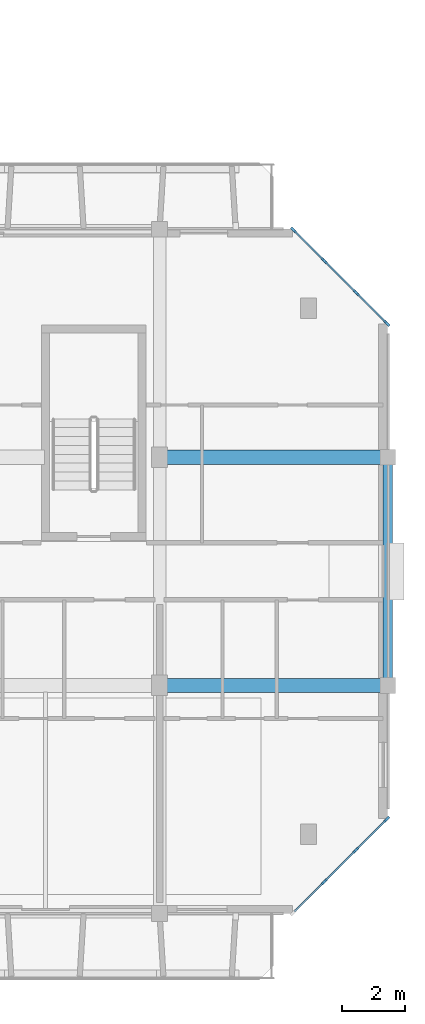
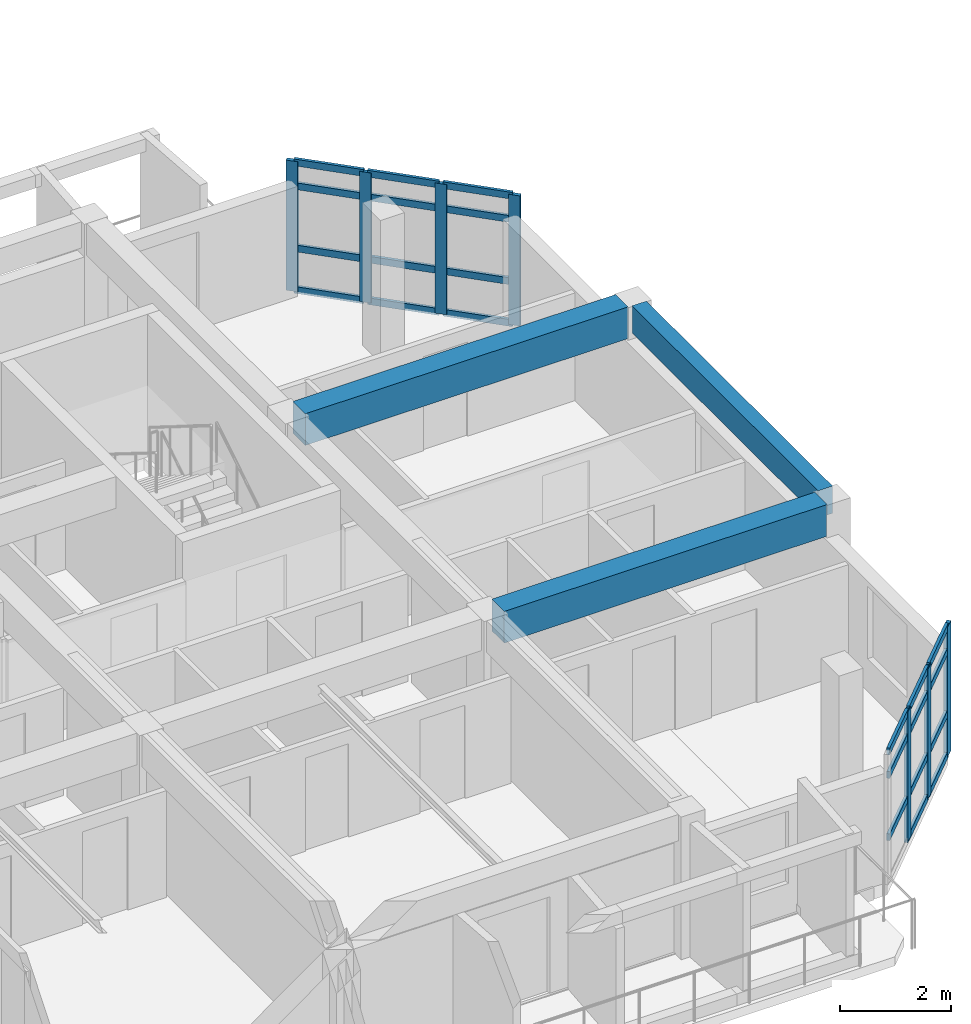
# One storey, part 8 of 40: 30 members, 3 beams, 2 elements without a shape of their own.
"""IFC4 building model written with IfcOpenShell, lengths in metres."""

from ifc_helpers import new_model, si_unit, direction, frame, origin, origin_2d, place, context, subcontext, project, spatial, rectangle, extrude, material, layer, layer_set, material_profile, profile_set, type_object, element, aggregate, save


model = new_model("IFC4")

# Units and contexts
model_context = context("Model", 3, precision=1e-05, world=origin(), true_north=direction((0.0, 1.0)))
body_context = subcontext(model_context, "Body", "Model", "MODEL_VIEW")
ifc_project = project(units=[si_unit("LENGTHUNIT", "METRE"), si_unit("AREAUNIT", "SQUARE_METRE"), si_unit("VOLUMEUNIT", "CUBIC_METRE"), si_unit("PLANEANGLEUNIT", "RADIAN"), si_unit("MASSUNIT", "GRAM", prefix="KILO")], contexts=[model_context])

# Site, building, storey
site_placement = place(None, origin())
site = spatial("IfcSite", under=ifc_project, at=site_placement, CompositionType="ELEMENT")
building_placement = place(site_placement, origin())
building = spatial("IfcBuilding", under=site, at=building_placement, Name="Ochrevale Crest", CompositionType="ELEMENT")
storey_placement = place(building_placement, frame((0.0, 0.0, 27.60009765625)))
storey = spatial("IfcBuildingStorey", under=building, at=storey_placement, Name="L08", CompositionType="ELEMENT", Elevation=27.60009765625)

# Beams
ifc_material_1 = material(Name="Concrete C50/60", Category="concrete")
ifc_material_profile_1 = material_profile(ifc_material_1, rectangle(XDim=0.449951171875, YDim=0.699951171875, at=origin_2d()), Name="RC 450x700")
ifc_profile_set_1 = profile_set([ifc_material_profile_1], Name="Concrete C50/60")
beam_type_1 = type_object("IfcBeamType", Name="BM-PG450x700", PredefinedType="USERDEFINED", material=ifc_profile_set_1)
for number, where, z_axis, x_axis, name in (
    (1, (158.625, 21.60009765625, 2.7998046875), (1.0, 0.0, 0.0), (0.0, 1.0, 0.0), "Block C L08 E-W beam Y=21.6"),
    (2, (158.625, 28.800048828125, 2.7998046875), (1.0, 0.0, 0.0), (0.0, 1.0, 0.0), "Block C L08 E-W beam Y=28.8"),
):
    element("IfcBeam", number, at=place(storey_placement, frame(where, z_axis=z_axis, x_axis=x_axis)), inside=storey, type_object=beam_type_1, Name=name, ObjectType="GIRDER", PredefinedType="USERDEFINED", context=body_context, shape_type="SweptSolid", body=[
        extrude(rectangle(XDim=0.449951171875, YDim=0.699951171875, at=origin_2d()), origin(), (0.0, 0.0, 1.0), 6.75),
    ])
ifc_material_2 = material(Name="Precast concrete C40/50", Category="concrete")
ifc_material_profile_2 = material_profile(ifc_material_2, rectangle(XDim=0.300048828125, YDim=0.60009765625, at=origin_2d()), Name="PC 300x600")
ifc_profile_set_2 = profile_set([ifc_material_profile_2], Name="Precast concrete C40/50")
beam_type_2 = type_object("IfcBeamType", Name="BM-SP300x600", PredefinedType="SPANDREL", material=ifc_profile_set_2)
beam_placement = place(storey_placement, frame((165.60009765625, 21.830078125, 2.849853515625), z_axis=(0.0, 1.0, 0.0), x_axis=(-1.0, 0.0, 0.0)))
element("IfcBeam", 3, at=beam_placement, inside=storey, type_object=beam_type_2, Name="Block C L08 N-S beam X=165.6", PredefinedType="SPANDREL", context=body_context, shape_type="SweptSolid", body=[
    extrude(rectangle(XDim=0.300048828125, YDim=0.60009765625, at=origin_2d()), origin(), (0.0, 0.0, 1.0), 6.739990234375),
])

# Curtain wall, members
ifc_material_3 = material(Name="Anodised aluminium 6063-T5", Category="aluminium")
ifc_layer_1 = layer(ifc_material_3, 0.14990234375)
ifc_layer_set_1 = layer_set([ifc_layer_1], Name="Anodised aluminium 6063-T5")
curtain_wall_type_1 = type_object("IfcCurtainWallType", Name="CW-WG-240x285", PredefinedType="NOTDEFINED", material=ifc_layer_set_1)
curtain_wall_1_placement = place(storey_placement, origin())
curtain_wall_1 = element("IfcCurtainWall", 4, at=curtain_wall_1_placement, inside=storey, type_object=curtain_wall_type_1, Name="Block C L08 chamfered corner wintergarden curtain wall 2", PredefinedType="NOTDEFINED")
ifc_material_profile_3 = material_profile(ifc_material_3, rectangle(XDim=0.074951171875, YDim=0.219970703125, at=origin_2d()), Name="ALU 75x220")
ifc_profile_set_3 = profile_set([ifc_material_profile_3], Name="Anodised aluminium 6063-T5")
member_type_1 = type_object("IfcMemberType", Name="CW-MUL-75x220", PredefinedType="MULLION", material=ifc_profile_set_3)
member_1_placement = place(storey_placement, frame((163.60009765625, 15.39990234375, 0.0), z_axis=(0.0, 0.0, 1.0), x_axis=(-0.707106781187, 0.707106781187, 0.0)))
member_1 = element("IfcMember", 5, at=member_1_placement, type_object=member_type_1, Name="CW15 mullion 2", PredefinedType="MULLION", context=body_context, shape_type="SweptSolid", body=[
    extrude(rectangle(XDim=0.074951171875, YDim=0.219970703125, at=origin_2d()), origin(), (0.0, 0.0, 1.0), 2.875),
])
member_2_placement = place(storey_placement, frame((164.60009765625, 16.39990234375, 0.0), z_axis=(0.0, 0.0, 1.0), x_axis=(-0.707106781187, 0.707106781187, 0.0)))
member_2 = element("IfcMember", 6, at=member_2_placement, type_object=member_type_1, Name="CW15 mullion 3", PredefinedType="MULLION", context=body_context, shape_type="SweptSolid", body=[
    extrude(rectangle(XDim=0.074951171875, YDim=0.219970703125, at=origin_2d()), origin(), (0.0, 0.0, 1.0), 2.875),
])
member_3_placement = place(storey_placement, frame((165.573486328125, 17.37353515625, 0.0), z_axis=(0.0, 0.0, 1.0), x_axis=(-0.707106781187, 0.707106781187, 0.0)))
member_3 = element("IfcMember", 7, at=member_3_placement, type_object=member_type_1, Name="CW15 mullion 4", PredefinedType="MULLION", context=body_context, shape_type="SweptSolid", body=[
    extrude(rectangle(XDim=0.074951171875, YDim=0.219970703125, at=origin_2d()), origin(), (0.0, 0.0, 1.0), 2.875),
])

ifc_layer_2 = layer(ifc_material_3, 0.14990234375)
ifc_layer_set_2 = layer_set([ifc_layer_2], Name="Anodised aluminium 6063-T5")
curtain_wall_type_2 = type_object("IfcCurtainWallType", Name="CW-WG-320x285", PredefinedType="NOTDEFINED", material=ifc_layer_set_2)
curtain_wall_2_placement = place(storey_placement, origin())
curtain_wall_2 = element("IfcCurtainWall", 8, at=curtain_wall_2_placement, inside=storey, type_object=curtain_wall_type_2, Name="Block C L08 chamfered corner wintergarden curtain wall 4", PredefinedType="NOTDEFINED")
member_4_placement = place(storey_placement, frame((165.573486328125, 33.026611328125, 0.0), z_axis=(0.0, 0.0, 1.0), x_axis=(-0.707106781187, -0.707106781187, 0.0)))
member_4 = element("IfcMember", 9, at=member_4_placement, type_object=member_type_1, Name="CW17 mullion 1", PredefinedType="MULLION", context=body_context, shape_type="SweptSolid", body=[
    extrude(rectangle(XDim=0.074951171875, YDim=0.219970703125, at=origin_2d()), origin(), (0.0, 0.0, 1.0), 2.875),
])
member_5_placement = place(storey_placement, frame((164.60009765625, 34.0, 0.0), z_axis=(0.0, 0.0, 1.0), x_axis=(-0.707106781187, -0.707106781187, 0.0)))
member_5 = element("IfcMember", 10, at=member_5_placement, type_object=member_type_1, Name="CW17 mullion 2", PredefinedType="MULLION", context=body_context, shape_type="SweptSolid", body=[
    extrude(rectangle(XDim=0.074951171875, YDim=0.219970703125, at=origin_2d()), origin(), (0.0, 0.0, 1.0), 2.875),
])
member_6_placement = place(storey_placement, frame((163.60009765625, 35.0, 0.0), z_axis=(0.0, 0.0, 1.0), x_axis=(-0.707106781187, -0.707106781187, 0.0)))
member_6 = element("IfcMember", 11, at=member_6_placement, type_object=member_type_1, Name="CW17 mullion 3", PredefinedType="MULLION", context=body_context, shape_type="SweptSolid", body=[
    extrude(rectangle(XDim=0.074951171875, YDim=0.219970703125, at=origin_2d()), origin(), (0.0, 0.0, 1.0), 2.875),
])
member_7_placement = place(storey_placement, frame((162.62646484375, 35.973388671875, 0.0), z_axis=(0.0, 0.0, 1.0), x_axis=(-0.707106781187, -0.707106781187, 0.0)))
member_7 = element("IfcMember", 12, at=member_7_placement, type_object=member_type_1, Name="CW17 mullion 4", PredefinedType="MULLION", context=body_context, shape_type="SweptSolid", body=[
    extrude(rectangle(XDim=0.074951171875, YDim=0.219970703125, at=origin_2d()), origin(), (0.0, 0.0, 1.0), 2.875),
])

# Member
ifc_material_profile_4 = material_profile(ifc_material_3, rectangle(XDim=0.06005859375, YDim=0.14990234375, at=origin_2d()), Name="ALU 60x150")
ifc_profile_set_4 = profile_set([ifc_material_profile_4], Name="Anodised aluminium 6063-T5")
member_type_2 = type_object("IfcMemberType", Name="CW-TRN-60x150", PredefinedType="USERDEFINED", material=ifc_profile_set_4)
member_8_placement = place(storey_placement, frame((162.653076171875, 14.453125, 0.949951171875), z_axis=(0.707106781187, 0.707106781187, 0.0), x_axis=(-0.707106781187, 0.707106781187, 0.0)))
member_8 = element("IfcMember", 13, at=member_8_placement, type_object=member_type_2, Name="CW15 transom 1.2", ObjectType="TRANSOM", PredefinedType="USERDEFINED", context=body_context, shape_type="SweptSolid", body=[
    extrude(rectangle(XDim=0.06005859375, YDim=0.14990234375, at=origin_2d()), origin(), (0.0, 0.0, 1.0), 1.3017578125),
])

member_9_placement = place(storey_placement, frame((162.653076171875, 14.453125, 2.324951171875), z_axis=(0.707106781187, 0.707106781187, 0.0), x_axis=(-0.707106781187, 0.707106781187, 0.0)))
member_9 = element("IfcMember", 14, at=member_9_placement, type_object=member_type_2, Name="CW15 transom 1.3", ObjectType="TRANSOM", PredefinedType="USERDEFINED", context=body_context, shape_type="SweptSolid", body=[
    extrude(rectangle(XDim=0.06005859375, YDim=0.14990234375, at=origin_2d()), origin(), (0.0, 0.0, 1.0), 1.3017578125),
])

member_10_placement = place(storey_placement, frame((162.653076171875, 14.453125, 2.844970703125), z_axis=(0.707106781187, 0.707106781187, 0.0), x_axis=(-0.707106781187, 0.707106781187, 0.0)))
member_10 = element("IfcMember", 15, at=member_10_placement, type_object=member_type_2, Name="CW15 transom 1.4", ObjectType="TRANSOM", PredefinedType="USERDEFINED", context=body_context, shape_type="SweptSolid", body=[
    extrude(rectangle(XDim=0.06005859375, YDim=0.14990234375, at=origin_2d()), origin(), (0.0, 0.0, 1.0), 1.3017578125),
])

member_11_placement = place(storey_placement, frame((163.62646484375, 15.426513671875, 0.02978515625), z_axis=(0.707106781187, 0.707106781187, 0.0), x_axis=(-0.707106781187, 0.707106781187, 0.0)))
member_11 = element("IfcMember", 16, at=member_11_placement, type_object=member_type_2, Name="CW15 transom 2.1", ObjectType="TRANSOM", PredefinedType="USERDEFINED", context=body_context, shape_type="SweptSolid", body=[
    extrude(rectangle(XDim=0.06005859375, YDim=0.14990234375, at=origin_2d()), origin(), (0.0, 0.0, 1.0), 1.33935546875),
])

member_12_placement = place(storey_placement, frame((163.62646484375, 15.426513671875, 0.949951171875), z_axis=(0.707106781187, 0.707106781187, 0.0), x_axis=(-0.707106781187, 0.707106781187, 0.0)))
member_12 = element("IfcMember", 17, at=member_12_placement, type_object=member_type_2, Name="CW15 transom 2.2", ObjectType="TRANSOM", PredefinedType="USERDEFINED", context=body_context, shape_type="SweptSolid", body=[
    extrude(rectangle(XDim=0.06005859375, YDim=0.14990234375, at=origin_2d()), origin(), (0.0, 0.0, 1.0), 1.33935546875),
])

member_13_placement = place(storey_placement, frame((163.62646484375, 15.426513671875, 2.324951171875), z_axis=(0.707106781187, 0.707106781187, 0.0), x_axis=(-0.707106781187, 0.707106781187, 0.0)))
member_13 = element("IfcMember", 18, at=member_13_placement, type_object=member_type_2, Name="CW15 transom 2.3", ObjectType="TRANSOM", PredefinedType="USERDEFINED", context=body_context, shape_type="SweptSolid", body=[
    extrude(rectangle(XDim=0.06005859375, YDim=0.14990234375, at=origin_2d()), origin(), (0.0, 0.0, 1.0), 1.33935546875),
])

member_14_placement = place(storey_placement, frame((163.62646484375, 15.426513671875, 2.844970703125), z_axis=(0.707106781187, 0.707106781187, 0.0), x_axis=(-0.707106781187, 0.707106781187, 0.0)))
member_14 = element("IfcMember", 19, at=member_14_placement, type_object=member_type_2, Name="CW15 transom 2.4", ObjectType="TRANSOM", PredefinedType="USERDEFINED", context=body_context, shape_type="SweptSolid", body=[
    extrude(rectangle(XDim=0.06005859375, YDim=0.14990234375, at=origin_2d()), origin(), (0.0, 0.0, 1.0), 1.33935546875),
])

member_15_placement = place(storey_placement, frame((164.62646484375, 16.426513671875, 0.02978515625), z_axis=(0.707106781187, 0.707106781187, 0.0), x_axis=(-0.707106781187, 0.707106781187, 0.0)))
member_15 = element("IfcMember", 20, at=member_15_placement, type_object=member_type_2, Name="CW15 transom 3.1", ObjectType="TRANSOM", PredefinedType="USERDEFINED", context=body_context, shape_type="SweptSolid", body=[
    extrude(rectangle(XDim=0.06005859375, YDim=0.14990234375, at=origin_2d()), origin(), (0.0, 0.0, 1.0), 1.3017578125),
])

member_16_placement = place(storey_placement, frame((164.62646484375, 16.426513671875, 0.949951171875), z_axis=(0.707106781187, 0.707106781187, 0.0), x_axis=(-0.707106781187, 0.707106781187, 0.0)))
member_16 = element("IfcMember", 21, at=member_16_placement, type_object=member_type_2, Name="CW15 transom 3.2", ObjectType="TRANSOM", PredefinedType="USERDEFINED", context=body_context, shape_type="SweptSolid", body=[
    extrude(rectangle(XDim=0.06005859375, YDim=0.14990234375, at=origin_2d()), origin(), (0.0, 0.0, 1.0), 1.3017578125),
])

member_17_placement = place(storey_placement, frame((164.62646484375, 16.426513671875, 2.324951171875), z_axis=(0.707106781187, 0.707106781187, 0.0), x_axis=(-0.707106781187, 0.707106781187, 0.0)))
member_17 = element("IfcMember", 22, at=member_17_placement, type_object=member_type_2, Name="CW15 transom 3.3", ObjectType="TRANSOM", PredefinedType="USERDEFINED", context=body_context, shape_type="SweptSolid", body=[
    extrude(rectangle(XDim=0.06005859375, YDim=0.14990234375, at=origin_2d()), origin(), (0.0, 0.0, 1.0), 1.3017578125),
])

member_18_placement = place(storey_placement, frame((164.62646484375, 16.426513671875, 2.844970703125), z_axis=(0.707106781187, 0.707106781187, 0.0), x_axis=(-0.707106781187, 0.707106781187, 0.0)))
member_18 = element("IfcMember", 23, at=member_18_placement, type_object=member_type_2, Name="CW15 transom 3.4", ObjectType="TRANSOM", PredefinedType="USERDEFINED", context=body_context, shape_type="SweptSolid", body=[
    extrude(rectangle(XDim=0.06005859375, YDim=0.14990234375, at=origin_2d()), origin(), (0.0, 0.0, 1.0), 1.3017578125),
])

aggregate(curtain_wall_1, [member_1, member_2, member_3, member_8, member_9, member_10, member_11, member_12, member_13, member_14, member_15, member_16, member_17, member_18])

member_19_placement = place(storey_placement, frame((165.546875, 33.052978515625, 0.02978515625), z_axis=(-0.707106781187, 0.707106781187, 0.0), x_axis=(-0.707106781187, -0.707106781187, 0.0)))
member_19 = element("IfcMember", 24, at=member_19_placement, type_object=member_type_2, Name="CW17 transom 1.1", ObjectType="TRANSOM", PredefinedType="USERDEFINED", context=body_context, shape_type="SweptSolid", body=[
    extrude(rectangle(XDim=0.06005859375, YDim=0.14990234375, at=origin_2d()), origin(), (0.0, 0.0, 1.0), 1.3017578125),
])

member_20_placement = place(storey_placement, frame((165.546875, 33.052978515625, 0.949951171875), z_axis=(-0.707106781187, 0.707106781187, 0.0), x_axis=(-0.707106781187, -0.707106781187, 0.0)))
member_20 = element("IfcMember", 25, at=member_20_placement, type_object=member_type_2, Name="CW17 transom 1.2", ObjectType="TRANSOM", PredefinedType="USERDEFINED", context=body_context, shape_type="SweptSolid", body=[
    extrude(rectangle(XDim=0.06005859375, YDim=0.14990234375, at=origin_2d()), origin(), (0.0, 0.0, 1.0), 1.3017578125),
])

member_21_placement = place(storey_placement, frame((165.546875, 33.052978515625, 2.324951171875), z_axis=(-0.707106781187, 0.707106781187, 0.0), x_axis=(-0.707106781187, -0.707106781187, 0.0)))
member_21 = element("IfcMember", 26, at=member_21_placement, type_object=member_type_2, Name="CW17 transom 1.3", ObjectType="TRANSOM", PredefinedType="USERDEFINED", context=body_context, shape_type="SweptSolid", body=[
    extrude(rectangle(XDim=0.06005859375, YDim=0.14990234375, at=origin_2d()), origin(), (0.0, 0.0, 1.0), 1.3017578125),
])

member_22_placement = place(storey_placement, frame((165.546875, 33.052978515625, 2.844970703125), z_axis=(-0.707106781187, 0.707106781187, 0.0), x_axis=(-0.707106781187, -0.707106781187, 0.0)))
member_22 = element("IfcMember", 27, at=member_22_placement, type_object=member_type_2, Name="CW17 transom 1.4", ObjectType="TRANSOM", PredefinedType="USERDEFINED", context=body_context, shape_type="SweptSolid", body=[
    extrude(rectangle(XDim=0.06005859375, YDim=0.14990234375, at=origin_2d()), origin(), (0.0, 0.0, 1.0), 1.3017578125),
])

member_23_placement = place(storey_placement, frame((164.573486328125, 34.026611328125, 0.02978515625), z_axis=(-0.707197932559, 0.707015618062, 0.0), x_axis=(-0.707015618062, -0.707197932559, 0.0)))
member_23 = element("IfcMember", 28, at=member_23_placement, type_object=member_type_2, Name="CW17 transom 2.1", ObjectType="TRANSOM", PredefinedType="USERDEFINED", context=body_context, shape_type="SweptSolid", body=[
    extrude(rectangle(XDim=0.06005859375, YDim=0.14990234375, at=origin_2d()), origin(), (0.0, 0.0, 1.0), 1.339111328125),
])

member_24_placement = place(storey_placement, frame((164.573486328125, 34.026611328125, 0.949951171875), z_axis=(-0.707197932559, 0.707015618062, 0.0), x_axis=(-0.707015618062, -0.707197932559, 0.0)))
member_24 = element("IfcMember", 29, at=member_24_placement, type_object=member_type_2, Name="CW17 transom 2.2", ObjectType="TRANSOM", PredefinedType="USERDEFINED", context=body_context, shape_type="SweptSolid", body=[
    extrude(rectangle(XDim=0.06005859375, YDim=0.14990234375, at=origin_2d()), origin(), (0.0, 0.0, 1.0), 1.339111328125),
])

member_25_placement = place(storey_placement, frame((164.573486328125, 34.026611328125, 2.324951171875), z_axis=(-0.707197932559, 0.707015618062, 0.0), x_axis=(-0.707015618062, -0.707197932559, 0.0)))
member_25 = element("IfcMember", 30, at=member_25_placement, type_object=member_type_2, Name="CW17 transom 2.3", ObjectType="TRANSOM", PredefinedType="USERDEFINED", context=body_context, shape_type="SweptSolid", body=[
    extrude(rectangle(XDim=0.06005859375, YDim=0.14990234375, at=origin_2d()), origin(), (0.0, 0.0, 1.0), 1.339111328125),
])

member_26_placement = place(storey_placement, frame((164.573486328125, 34.026611328125, 2.844970703125), z_axis=(-0.707197932559, 0.707015618062, 0.0), x_axis=(-0.707015618062, -0.707197932559, 0.0)))
member_26 = element("IfcMember", 31, at=member_26_placement, type_object=member_type_2, Name="CW17 transom 2.4", ObjectType="TRANSOM", PredefinedType="USERDEFINED", context=body_context, shape_type="SweptSolid", body=[
    extrude(rectangle(XDim=0.06005859375, YDim=0.14990234375, at=origin_2d()), origin(), (0.0, 0.0, 1.0), 1.339111328125),
])

member_27_placement = place(storey_placement, frame((163.573486328125, 35.026611328125, 0.02978515625), z_axis=(-0.707106781187, 0.707106781187, 0.0), x_axis=(-0.707106781187, -0.707106781187, 0.0)))
member_27 = element("IfcMember", 32, at=member_27_placement, type_object=member_type_2, Name="CW17 transom 3.1", ObjectType="TRANSOM", PredefinedType="USERDEFINED", context=body_context, shape_type="SweptSolid", body=[
    extrude(rectangle(XDim=0.06005859375, YDim=0.14990234375, at=origin_2d()), origin(), (0.0, 0.0, 1.0), 1.3017578125),
])

member_28_placement = place(storey_placement, frame((163.573486328125, 35.026611328125, 0.949951171875), z_axis=(-0.707106781187, 0.707106781187, 0.0), x_axis=(-0.707106781187, -0.707106781187, 0.0)))
member_28 = element("IfcMember", 33, at=member_28_placement, type_object=member_type_2, Name="CW17 transom 3.2", ObjectType="TRANSOM", PredefinedType="USERDEFINED", context=body_context, shape_type="SweptSolid", body=[
    extrude(rectangle(XDim=0.06005859375, YDim=0.14990234375, at=origin_2d()), origin(), (0.0, 0.0, 1.0), 1.3017578125),
])

member_29_placement = place(storey_placement, frame((163.573486328125, 35.026611328125, 2.324951171875), z_axis=(-0.707106781187, 0.707106781187, 0.0), x_axis=(-0.707106781187, -0.707106781187, 0.0)))
member_29 = element("IfcMember", 34, at=member_29_placement, type_object=member_type_2, Name="CW17 transom 3.3", ObjectType="TRANSOM", PredefinedType="USERDEFINED", context=body_context, shape_type="SweptSolid", body=[
    extrude(rectangle(XDim=0.06005859375, YDim=0.14990234375, at=origin_2d()), origin(), (0.0, 0.0, 1.0), 1.3017578125),
])

member_30_placement = place(storey_placement, frame((163.573486328125, 35.026611328125, 2.844970703125), z_axis=(-0.707106781187, 0.707106781187, 0.0), x_axis=(-0.707106781187, -0.707106781187, 0.0)))
member_30 = element("IfcMember", 35, at=member_30_placement, type_object=member_type_2, Name="CW17 transom 3.4", ObjectType="TRANSOM", PredefinedType="USERDEFINED", context=body_context, shape_type="SweptSolid", body=[
    extrude(rectangle(XDim=0.06005859375, YDim=0.14990234375, at=origin_2d()), origin(), (0.0, 0.0, 1.0), 1.3017578125),
])

aggregate(curtain_wall_2, [member_4, member_5, member_6, member_7, member_19, member_20, member_21, member_22, member_23, member_24, member_25, member_26, member_27, member_28, member_29, member_30])

save(model, "model.ifc")
